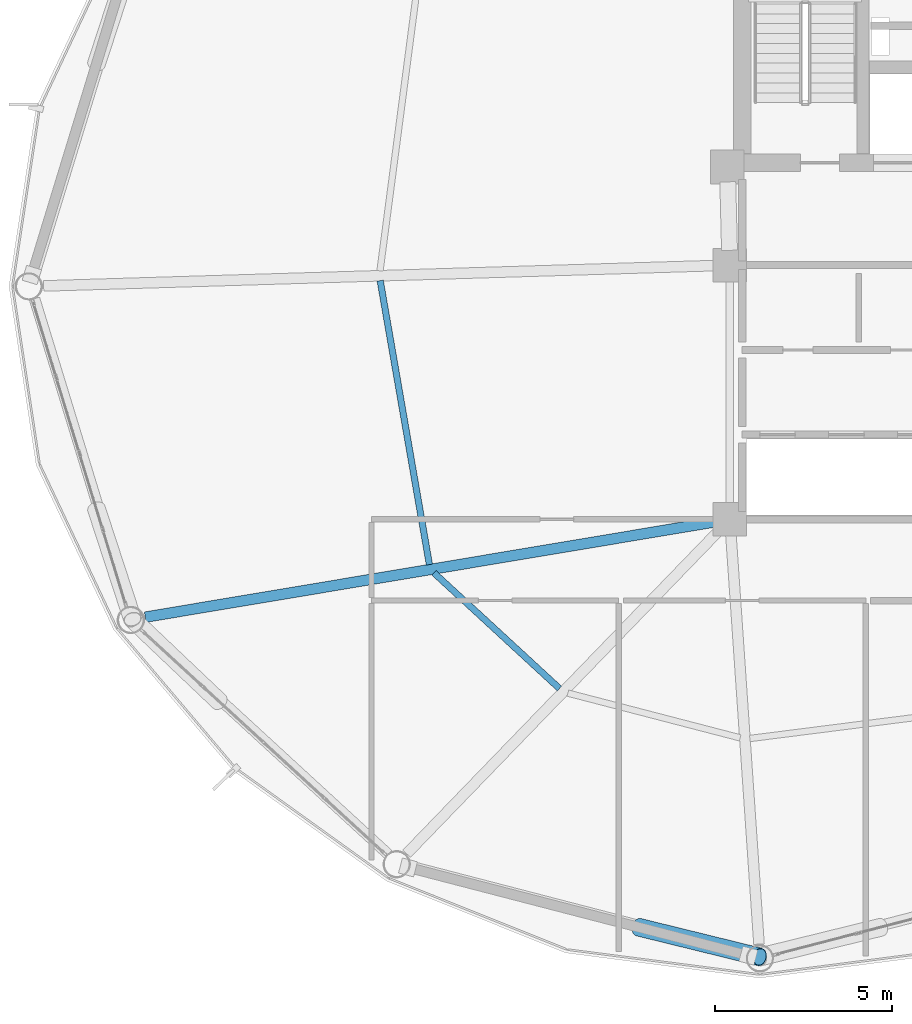
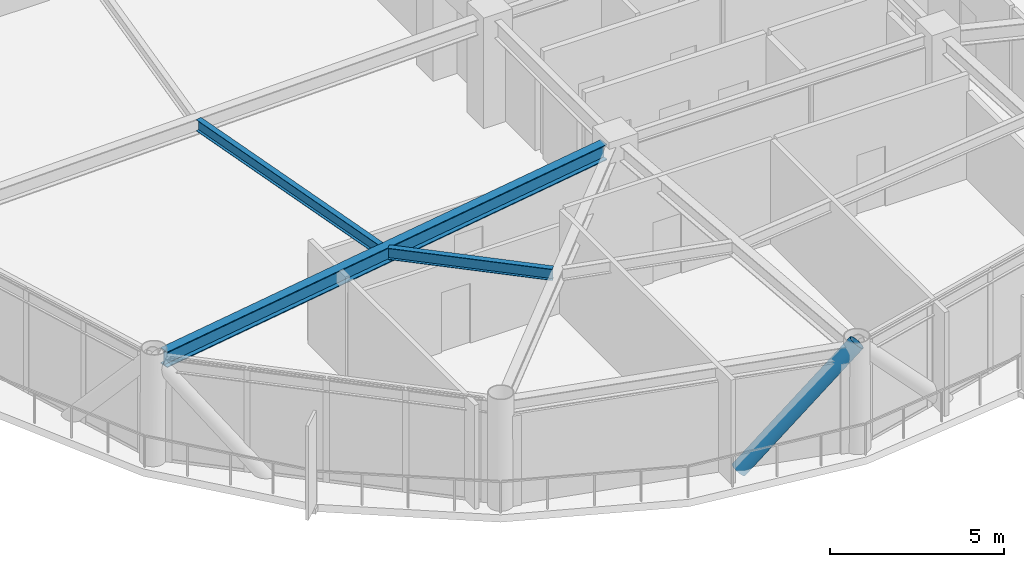
# One storey, part 6 of 26: 3 beams, 1 member.
"""IFC4 building model written with IfcOpenShell, lengths in metres."""

from ifc_helpers import new_model, si_unit, direction, frame, origin, origin_2d, place, context, subcontext, project, spatial, hollow_circle, i_section, extrude, material, material_profile, profile_set, type_object, element, save


model = new_model("IFC4")

# Units and contexts
model_context = context("Model", 3, precision=1e-05, world=origin(), true_north=direction((0.0, 1.0)))
body_context = subcontext(model_context, "Body", "Model", "MODEL_VIEW")
ifc_project = project(units=[si_unit("LENGTHUNIT", "METRE"), si_unit("AREAUNIT", "SQUARE_METRE"), si_unit("VOLUMEUNIT", "CUBIC_METRE"), si_unit("PLANEANGLEUNIT", "RADIAN"), si_unit("MASSUNIT", "GRAM", prefix="KILO")], contexts=[model_context])

# Site, building, storey
site_placement = place(None, origin())
site = spatial("IfcSite", under=ifc_project, at=site_placement, CompositionType="ELEMENT")
building_placement = place(site_placement, origin())
building = spatial("IfcBuilding", under=site, at=building_placement, Name="Varnakorn Sky Granary", CompositionType="ELEMENT")
storey_placement = place(building_placement, frame((0.0, 0.0, 153.89990234375)))
storey = spatial("IfcBuildingStorey", under=building, at=storey_placement, Name="L38", CompositionType="ELEMENT", Elevation=153.89990234375)

# Beams
ifc_material_1 = material(Name="Steel S355JR", Category="steel")
ifc_material_profile_1 = material_profile(ifc_material_1, i_section(OverallWidth=0.300048828125, OverallDepth=0.550048828125, WebThickness=0.014892578125, FlangeThickness=0.029052734375, at=origin_2d()), Name="HE 550 B")
ifc_profile_set_1 = profile_set([ifc_material_profile_1], Name="Steel S355JR")
beam_type_1 = type_object("IfcBeamType", Name="BM-RAD-Z3", PredefinedType="BEAM", material=ifc_profile_set_1)
beam_1_placement = place(storey_placement, frame((-2.76416015625, -6.669189453125, 3.364990234375), z_axis=(-0.98630224715, -0.164948104768, 0.0), x_axis=(0.164948104768, -0.98630224715, 0.0)))
element("IfcBeam", 1, at=beam_1_placement, inside=storey, type_object=beam_type_1, Name="Radial Floor Girder RG08 L38", PredefinedType="BEAM", context=body_context, shape_type="SweptSolid", body=[
    extrude(i_section(OverallWidth=0.300048828125, OverallDepth=0.550048828125, WebThickness=0.014892578125, FlangeThickness=0.029052734375, at=origin_2d()), origin(), (0.0, 0.0, 1.0), 16.365478515625),
])
ifc_material_profile_2 = material_profile(ifc_material_1, i_section(OverallWidth=0.179931640625, OverallDepth=0.39990234375, WebThickness=0.008544921875, FlangeThickness=0.013427734375, at=origin_2d()), Name="IPE 400")
ifc_profile_set_2 = profile_set([ifc_material_profile_2], Name="Steel S355JR")
beam_type_2 = type_object("IfcBeamType", Name="BM-SEC-Z3", PredefinedType="BEAM", material=ifc_profile_set_2)
beam_2_placement = place(storey_placement, frame((-12.253173828125, 0.161376953125, 3.440185546875), z_axis=(0.170817309939, -0.985302718267, 0.0), x_axis=(0.985302718267, 0.170817309939, 0.0)))
element("IfcBeam", 2, at=beam_2_placement, inside=storey, type_object=beam_type_2, Name="Secondary Floor Chord Beam MSB07 L38", PredefinedType="BEAM", context=body_context, shape_type="SweptSolid", body=[
    extrude(i_section(OverallWidth=0.179931640625, OverallDepth=0.39990234375, WebThickness=0.008544921875, FlangeThickness=0.013427734375, at=origin_2d()), origin(), (0.0, 0.0, 1.0), 8.162353515625),
])
beam_3_placement = place(storey_placement, frame((-10.73193359375, -8.11376953125, 3.440185546875), z_axis=(0.735443801409, -0.677585725181, 0.0), x_axis=(0.677585725181, 0.735443801409, 0.0)))
element("IfcBeam", 3, at=beam_3_placement, inside=storey, type_object=beam_type_2, Name="Secondary Floor Chord Beam MSB08 L38", PredefinedType="BEAM", context=body_context, shape_type="SweptSolid", body=[
    extrude(i_section(OverallWidth=0.179931640625, OverallDepth=0.39990234375, WebThickness=0.008544921875, FlangeThickness=0.013427734375, at=origin_2d()), origin(), (0.0, 0.0, 1.0), 4.835693359375),
])

# Member
ifc_material_2 = material(Name="Steel S460M", Category="steel")
ifc_material_profile_3 = material_profile(ifc_material_2, hollow_circle(Radius=0.25390625, WallThickness=0.01806640625, at=origin_2d()), Name="CHS 508x18")
ifc_profile_set_3 = profile_set([ifc_material_profile_3], Name="Steel S460M")
member_type = type_object("IfcMemberType", Name="MB-DIAG-T2", PredefinedType="BRACE", material=ifc_profile_set_3)
member_placement = place(storey_placement, frame((-4.930419921875, -18.150634765625, -0.1298828125), z_axis=(0.664004133311, -0.163035674324, 0.72973822693), x_axis=(0.238451545475, 0.971154395789, 0.0)))
element("IfcMember", 4, at=member_placement, inside=storey, type_object=member_type, Name="Perimeter CHS Diagrid Brace DG09 L38", PredefinedType="BRACE", context=body_context, shape_type="SweptSolid", body=[
    extrude(hollow_circle(Radius=0.25390625, WallThickness=0.01806640625, at=origin_2d()), origin(), (0.0, 0.0, 1.0), 5.166259765625),
])

save(model, "model.ifc")
